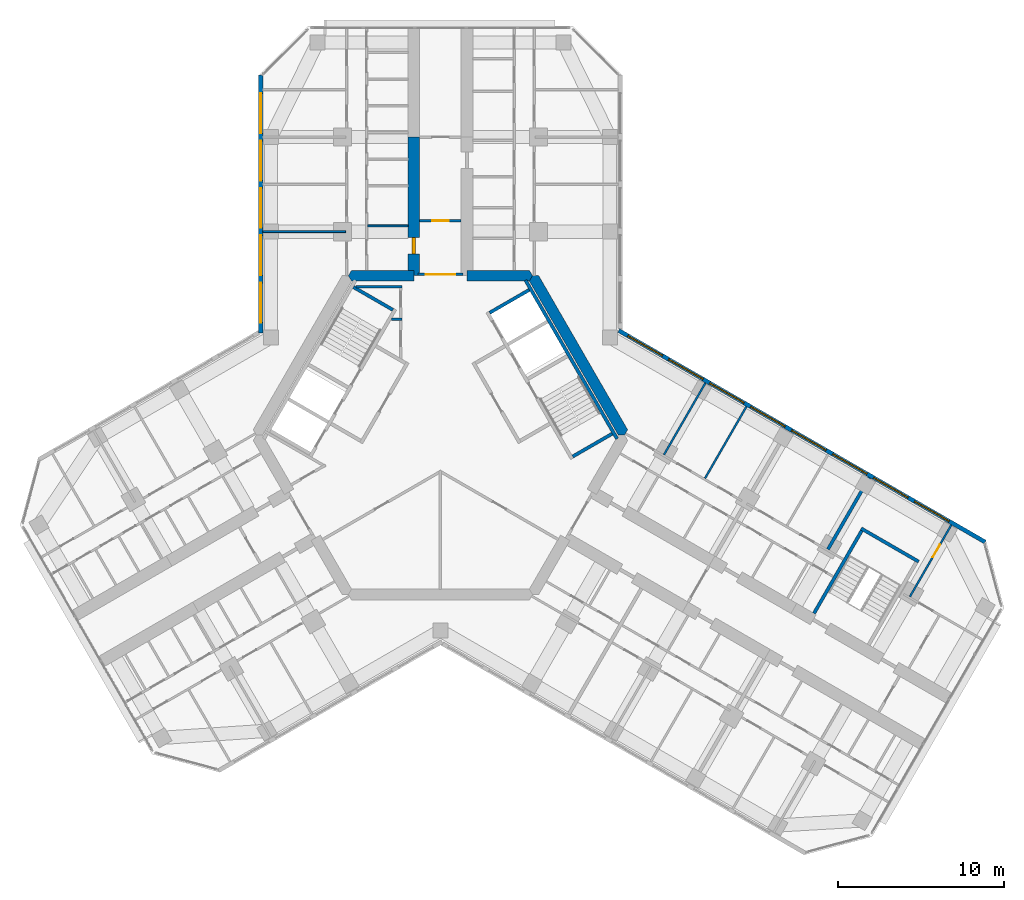
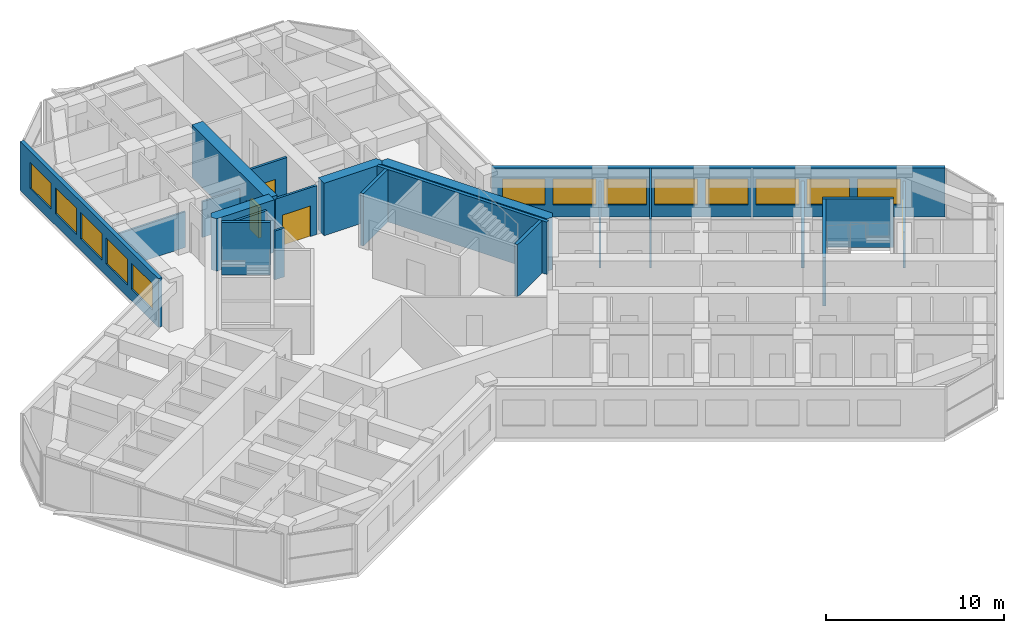
# One storey, part 13 of 16: 22 walls, 13 windows, 4 doors, 17 openings.
"""IFC4 building model written with IfcOpenShell, lengths in metres."""

from ifc_helpers import new_model, si_unit, direction, frame, frame_2d, origin, place, context, subcontext, project, spatial, polyline, rectangle, outline, extrude, material, layer, layer_set, type_object, element, fill, save


model = new_model("IFC4")

# Units and contexts
model_context = context("Model", 3, precision=1e-05, world=origin(), true_north=direction((0.0, 1.0)))
body_context = subcontext(model_context, "Body", "Model", "MODEL_VIEW")
ifc_project = project(units=[si_unit("LENGTHUNIT", "METRE"), si_unit("AREAUNIT", "SQUARE_METRE"), si_unit("VOLUMEUNIT", "CUBIC_METRE"), si_unit("PLANEANGLEUNIT", "RADIAN"), si_unit("MASSUNIT", "GRAM", prefix="KILO")], contexts=[model_context])

# Site, building, storey
site_placement = place(None, origin())
site = spatial("IfcSite", under=ifc_project, at=site_placement, CompositionType="ELEMENT")
building_placement = place(site_placement, origin())
building = spatial("IfcBuilding", under=site, at=building_placement, Name="Kosmar Iwan School Tower", CompositionType="ELEMENT")
storey_placement = place(building_placement, frame((0.0, 0.0, 215.39990234375)))
storey = spatial("IfcBuildingStorey", under=building, at=storey_placement, Name="L54", CompositionType="ELEMENT", Elevation=215.39990234375)

# Walls
ifc_material_1 = material(Name="Gypsum board on steel studs, fire-rated", Category="steel")
ifc_layer_1 = layer(ifc_material_1, 0.14990234375)
ifc_layer_set_1 = layer_set([ifc_layer_1], Name="Core room partition 150")
wall_type_1 = type_object("IfcWallType", Name="Core room partition 150", PredefinedType="PARTITIONING", material=ifc_layer_set_1)
wall_1_placement = place(storey_placement, frame((-2.324951171875, 6.985107421875, 0.0), z_axis=(0.0, 0.0, 1.0), x_axis=(-1.0, 0.0, 0.0)))
element("IfcWall", 1, at=wall_1_placement, inside=storey, type_object=wall_type_1, Name="Core room partition L54-CW2", PredefinedType="PARTITIONING", context=body_context, shape_type="SweptSolid", body=[
    extrude(rectangle(XDim=0.623779296875, YDim=0.14990234375, at=frame_2d((0.31201171875, 0.0))), origin(), (0.0, 0.0, 1.0), 3.35009765625),
])
wall_2_placement = place(storey_placement, frame((-5.089599609375, 8.93994140625, 0.0), z_axis=(0.0, 0.0, 1.0), x_axis=(1.0, 0.0, 0.0)))
element("IfcWall", 2, at=wall_2_placement, inside=storey, type_object=wall_type_1, Name="Core room partition L54-CW3", PredefinedType="PARTITIONING", context=body_context, shape_type="SweptSolid", body=[
    extrude(rectangle(XDim=2.7646484375, YDim=0.14990234375, at=frame_2d((1.38232421875, 0.0))), origin(), (0.0, 0.0, 1.0), 3.35009765625),
])
ifc_material_2 = material(Name="Concrete C50/60", Category="concrete")
ifc_layer_2 = layer(ifc_material_2, 0.64990234375)
ifc_layer_set_2 = layer_set([ifc_layer_2], Name="Core wall 650")
wall_type_2 = type_object("IfcWallType", Name="Core wall 650", PredefinedType="SHEAR", material=ifc_layer_set_2)
wall_3_placement = place(storey_placement, origin())
element("IfcWall", 3, at=wall_3_placement, inside=storey, type_object=wall_type_2, Name="Core wall F030", PredefinedType="SHEAR", context=body_context, shape_type="SweptSolid", body=[
    extrude(outline(polyline([(10.7099609375, 0.0), (11.085205078125, 0.0), (11.272705078125, 0.324951171875), (5.917724609375, 9.60009765625), (5.54248046875, 9.60009765625), (5.35498046875, 9.27490234375), (10.7099609375, 0.0)])), origin(), (0.0, 0.0, 1.0), 3.60009765625),
])
wall_4_placement = place(storey_placement, origin())
element("IfcWall", 4, at=wall_4_placement, inside=storey, type_object=wall_type_2, Name="Core wall F090a", PredefinedType="SHEAR", context=body_context, shape_type="SweptSolid", body=[
    extrude(outline(polyline([(1.60009765625, 9.27490234375), (5.35498046875, 9.27490234375), (5.54248046875, 9.60009765625), (5.35498046875, 9.925048828125), (1.60009765625, 9.925048828125), (1.60009765625, 9.27490234375)])), origin(), (0.0, 0.0, 1.0), 3.60009765625),
])
wall_5_placement = place(storey_placement, origin())
element("IfcWall", 5, at=wall_5_placement, inside=storey, type_object=wall_type_2, Name="Core wall F090b", PredefinedType="SHEAR", context=body_context, shape_type="SweptSolid", body=[
    extrude(outline(polyline([(-5.35498046875, 9.27490234375), (-1.60009765625, 9.27490234375), (-1.60009765625, 9.925048828125), (-5.35498046875, 9.925048828125), (-5.54248046875, 9.60009765625), (-5.35498046875, 9.27490234375)])), origin(), (0.0, 0.0, 1.0), 3.60009765625),
])

# Wall, opening, door
ifc_material_3 = material(Name="Concrete C50/60", Category="concrete")
ifc_layer_3 = layer(ifc_material_3, 0.699951171875)
ifc_layer_set_3 = layer_set([ifc_layer_3], Name="Corridor buttress wall 700")
wall_type_3 = type_object("IfcWallType", Name="Corridor buttress wall 700", PredefinedType="SHEAR", material=ifc_layer_set_3)
wall_6_placement = place(storey_placement, frame((-1.60009765625, 9.60009765625, 0.0), z_axis=(0.0, 0.0, 1.0), x_axis=(0.0, 1.0, 0.0)))
wall_6 = element("IfcWall", 6, at=wall_6_placement, inside=storey, type_object=wall_type_3, Name="Corridor wall AL", PredefinedType="SHEAR", context=body_context, shape_type="SweptSolid", body=[
    extrude(rectangle(XDim=8.349853515625, YDim=0.699951171875, at=frame_2d((4.1748046875, 0.0))), origin(), (0.0, 0.0, 1.0), 3.60009765625),
])
opening_1_placement = place(wall_6_placement, frame((1.300048828125, 0.0, 0.0)))
opening_1 = element("IfcOpeningElement", 7, at=opening_1_placement, cuts=wall_6, Name="Opening D1", PredefinedType="OPENING", context=body_context, shape_type="SweptSolid", body=[
    extrude(rectangle(XDim=1.0, YDim=2.10009765625, at=frame_2d((0.5, 1.050048828125))), frame((0.0, 0.362060546875, 0.0), z_axis=(0.0, -1.0, 0.0), x_axis=(1.0, 0.0, 0.0)), (0.0, 0.0, 1.0), 0.723876953125),
])
ifc_material_4 = material(Name="Timber fire door in steel frame", Category="steel")
door_type_1 = type_object("IfcDoorType", Name="Flat entrance door 1000x2100", OperationType="SINGLE_SWING_LEFT", PredefinedType="DOOR", material=ifc_material_4)
door_1_placement = place(opening_1_placement, origin())
door_1 = element("IfcDoor", 8, at=door_1_placement, inside=storey, type_object=door_type_1, Name="Flat L54-AL1 entrance door", OperationType="SINGLE_SWING_RIGHT", OverallHeight=2.10009765625, OverallWidth=1.0, PredefinedType="DOOR", context=body_context, shape_type="SweptSolid", body=[
    extrude(rectangle(XDim=1.0, YDim=2.10009765625, at=frame_2d((0.5, 1.050048828125))), frame((0.0, 0.10009765625, 0.0), z_axis=(0.0, -1.0, 0.0), x_axis=(1.0, 0.0, 0.0)), (0.0, 0.0, 1.0), 0.199951171875),
])
fill(opening_1, door_1)

ifc_material_5 = material(Name="Gypsum board on steel studs, fire-rated", Category="steel")
ifc_layer_4 = layer(ifc_material_5, 0.14990234375)
ifc_layer_set_4 = layer_set([ifc_layer_4], Name="Corridor end wall 150")
wall_type_4 = type_object("IfcWallType", Name="Corridor end wall 150", PredefinedType="PARTITIONING", material=ifc_layer_set_4)
wall_7_placement = place(storey_placement, frame((1.25, 12.89990234375, 0.0), z_axis=(0.0, 0.0, 1.0), x_axis=(-1.0, 0.0, 0.0)))
wall_7 = element("IfcWall", 9, at=wall_7_placement, inside=storey, type_object=wall_type_4, Name="Partition L54-A-HW", PredefinedType="PARTITIONING", context=body_context, shape_type="SweptSolid", body=[
    extrude(rectangle(XDim=2.5, YDim=0.14990234375, at=frame_2d((1.25, 0.0))), origin(), (0.0, 0.0, 1.0), 3.35009765625),
])
opening_2_placement = place(wall_7_placement, frame((0.75, 0.0, 0.0)))
opening_2 = element("IfcOpeningElement", 10, at=opening_2_placement, cuts=wall_7, Name="Opening D13", PredefinedType="OPENING", context=body_context, shape_type="SweptSolid", body=[
    extrude(rectangle(XDim=1.0, YDim=2.10009765625, at=frame_2d((0.5, 1.050048828125))), frame((0.0, 0.0869140625, 0.0), z_axis=(0.0, -1.0, 0.0), x_axis=(1.0, 0.0, 0.0)), (0.0, 0.0, 1.0), 0.173828125),
])
ifc_material_6 = material(Name="Timber fire door with vision panel", Category="wood")
door_type_2 = type_object("IfcDoorType", Name="Corridor end door 1000x2100", OperationType="SINGLE_SWING_LEFT", PredefinedType="DOOR", material=ifc_material_6)
door_2_placement = place(opening_2_placement, origin())
door_2 = element("IfcDoor", 11, at=door_2_placement, inside=storey, type_object=door_type_2, Name="Entrance door L54-A", OperationType="SINGLE_SWING_RIGHT", OverallHeight=2.10009765625, OverallWidth=1.0, PredefinedType="DOOR", context=body_context, shape_type="SweptSolid", body=[
    extrude(rectangle(XDim=1.0, YDim=2.10009765625, at=frame_2d((0.5, 1.050048828125))), frame((0.0, 0.02490234375, 0.0), z_axis=(0.0, -1.0, 0.0), x_axis=(1.0, 0.0, 0.0)), (0.0, 0.0, 1.0), 0.050048828125),
])
fill(opening_2, door_2)

ifc_material_7 = material(Name="Steel framed glazed screen", Category="steel")
ifc_layer_5 = layer(ifc_material_7, 0.14990234375)
ifc_layer_set_5 = layer_set([ifc_layer_5], Name="Corridor screen wall 150")
wall_type_5 = type_object("IfcWallType", Name="Corridor screen wall 150", PredefinedType="PARTITIONING", material=ifc_layer_set_5)
wall_8_placement = place(storey_placement, frame((1.35009765625, 9.675048828125, 0.0), z_axis=(0.0, 0.0, 1.0), x_axis=(-1.0, 0.0, 0.0)))
wall_8 = element("IfcWall", 12, at=wall_8_placement, inside=storey, type_object=wall_type_5, Name="Corridor screen A L54", PredefinedType="PARTITIONING", context=body_context, shape_type="SweptSolid", body=[
    extrude(rectangle(XDim=2.7001953125, YDim=0.14990234375, at=frame_2d((1.35009765625, 0.0))), origin(), (0.0, 0.0, 1.0), 3.35009765625),
])
opening_3_placement = place(wall_8_placement, frame((0.449951171875, 0.0, 0.0)))
opening_3 = element("IfcOpeningElement", 13, at=opening_3_placement, cuts=wall_8, Name="Opening D9", PredefinedType="OPENING", context=body_context, shape_type="SweptSolid", body=[
    extrude(rectangle(XDim=1.800048828125, YDim=2.10009765625, at=frame_2d((0.89990234375, 1.050048828125))), frame((0.0, 0.0869140625, 0.0), z_axis=(0.0, -1.0, 0.0), x_axis=(1.0, 0.0, 0.0)), (0.0, 0.0, 1.0), 0.173828125),
])
ifc_material_8 = material(Name="Steel framed glazed smoke door", Category="steel")
door_type_3 = type_object("IfcDoorType", Name="Corridor smoke door pair 1800x2100", OperationType="DOUBLE_DOOR_DOUBLE_SWING", PredefinedType="DOOR", material=ifc_material_8)
door_3_placement = place(opening_3_placement, origin())
door_3 = element("IfcDoor", 14, at=door_3_placement, inside=storey, type_object=door_type_3, Name="Corridor doors A L54", OperationType="DOUBLE_DOOR_DOUBLE_SWING", OverallHeight=2.10009765625, OverallWidth=1.800048828125, PredefinedType="DOOR", context=body_context, shape_type="SweptSolid", body=[
    extrude(rectangle(XDim=1.800048828125, YDim=2.10009765625, at=frame_2d((0.89990234375, 1.050048828125))), frame((0.0, 0.02490234375, 0.0), z_axis=(0.0, -1.0, 0.0), x_axis=(1.0, 0.0, 0.0)), (0.0, 0.0, 1.0), 0.050048828125),
])
fill(opening_3, door_3)

# Walls
ifc_material_9 = material(Name="Gypsum board on steel studs", Category="steel")
ifc_layer_6 = layer(ifc_material_9, 0.1201171875)
ifc_layer_set_6 = layer_set([ifc_layer_6], Name="Dwelling partition 120")
wall_type_6 = type_object("IfcWallType", Name="Dwelling partition 120", PredefinedType="PARTITIONING", material=ifc_layer_set_6)
wall_9_placement = place(storey_placement, frame((-5.7099609375, 12.25, 0.0), z_axis=(0.0, 0.0, 1.0), x_axis=(-1.0, 0.0, 0.0)))
element("IfcWall", 15, at=wall_9_placement, inside=storey, type_object=wall_type_6, Name="Partition L54-AL1-X1", PredefinedType="PARTITIONING", context=body_context, shape_type="SweptSolid", body=[
    extrude(rectangle(XDim=4.989990234375, YDim=0.1201171875, at=frame_2d((2.4951171875, 0.0))), origin(), (0.0, 0.0, 1.0), 2.4501953125),
])
wall_10_placement = place(storey_placement, frame((-1.949951171875, 12.60009765625, 0.0), z_axis=(0.0, 0.0, 1.0), x_axis=(-1.0, 0.0, 0.0)))
element("IfcWall", 16, at=wall_10_placement, inside=storey, type_object=wall_type_6, Name="Partition L54-AL1-Y1", PredefinedType="PARTITIONING", context=body_context, shape_type="SweptSolid", body=[
    extrude(rectangle(XDim=2.43994140625, YDim=0.1201171875, at=frame_2d((1.219970703125, 0.0))), origin(), (0.0, 0.0, 1.0), 2.4501953125),
])
wall_11_placement = place(storey_placement, frame((13.4638671875, -1.179931640625, 0.0), z_axis=(0.0, 0.0, 1.0), x_axis=(0.499975153383, 0.86603974851, 0.0)))
element("IfcWall", 17, at=wall_11_placement, inside=storey, type_object=wall_type_6, Name="Partition L54-CL1-X1", PredefinedType="PARTITIONING", context=body_context, shape_type="SweptSolid", body=[
    extrude(rectangle(XDim=4.989990234375, YDim=0.1201171875, at=frame_2d((2.4951171875, 0.0))), origin(), (0.0, 0.0, 1.0), 2.4501953125),
])
wall_12_placement = place(storey_placement, frame((15.931884765625, -2.60498046875, 0.0), z_axis=(0.0, 0.0, 1.0), x_axis=(0.500011847778, 0.866018563358, 0.0)))
element("IfcWall", 18, at=wall_12_placement, inside=storey, type_object=wall_type_6, Name="Partition L54-CL1-X2", PredefinedType="PARTITIONING", context=body_context, shape_type="SweptSolid", body=[
    extrude(rectangle(XDim=4.990234375, YDim=0.1201171875, at=frame_2d((2.4951171875, 0.0))), origin(), (0.0, 0.0, 1.0), 3.35009765625),
])

# Wall, opening, door
wall_13_placement = place(storey_placement, frame((28.27294921875, -9.72998046875, 0.0), z_axis=(0.0, 0.0, 1.0), x_axis=(0.499975153383, 0.86603974851, 0.0)))
wall_13 = element("IfcWall", 19, at=wall_13_placement, inside=storey, type_object=wall_type_6, Name="Partition L54-CL3-TX", PredefinedType="PARTITIONING", context=body_context, shape_type="SweptSolid", body=[
    extrude(rectangle(XDim=4.989990234375, YDim=0.1201171875, at=frame_2d((2.4951171875, 0.0))), origin(), (0.0, 0.0, 1.0), 2.4501953125),
])
opening_4_placement = place(wall_13_placement, frame((2.739990234375, 0.0, 0.0)))
opening_4 = element("IfcOpeningElement", 20, at=opening_4_placement, cuts=wall_13, Name="Opening D2", PredefinedType="OPENING", context=body_context, shape_type="SweptSolid", body=[
    extrude(rectangle(XDim=0.89990234375, YDim=2.10009765625, at=frame_2d((0.449951171875, 1.050048828125))), frame((0.0, 0.072021484375, 0.0), z_axis=(0.0, -1.0, 0.0), x_axis=(1.0, 0.0, 0.0)), (0.0, 0.0, 1.0), 0.14404296875),
])
ifc_material_10 = material(Name="Timber door in timber frame", Category="wood")
door_type_4 = type_object("IfcDoorType", Name="Internal door 900x2100", OperationType="SINGLE_SWING_LEFT", PredefinedType="DOOR", material=ifc_material_10)
door_4_placement = place(opening_4_placement, origin())
door_4 = element("IfcDoor", 21, at=door_4_placement, inside=storey, type_object=door_type_4, Name="Bedroom 1 door L54-CL3-T1", OperationType="SINGLE_SWING_RIGHT", OverallHeight=2.10009765625, OverallWidth=0.89990234375, PredefinedType="DOOR", context=body_context, shape_type="SweptSolid", body=[
    extrude(rectangle(XDim=0.89990234375, YDim=2.10009765625, at=frame_2d((0.449951171875, 1.050048828125))), frame((0.0, 0.02490234375, 0.0), z_axis=(0.0, -1.0, 0.0), x_axis=(1.0, 0.0, 0.0)), (0.0, 0.0, 1.0), 0.050048828125),
])
fill(opening_4, door_4)

# Walls
ifc_material_11 = material(Name="Concrete C35/45", Category="concrete")
ifc_layer_7 = layer(ifc_material_11, 0.199951171875)
ifc_layer_set_7 = layer_set([ifc_layer_7], Name="Escape stair wall 200")
wall_type_7 = type_object("IfcWallType", Name="Escape stair wall 200", PredefinedType="SHEAR", material=ifc_layer_set_7)
wall_14_placement = place(storey_placement, frame((22.49560546875, -10.736328125, 0.0), z_axis=(0.0, 0.0, 1.0), x_axis=(0.500013701029, 0.866017493347, 0.0)))
element("IfcWall", 22, at=wall_14_placement, inside=storey, type_object=wall_type_7, Name="Stair WS3 wall", PredefinedType="SHEAR", context=body_context, shape_type="SweptSolid", body=[
    extrude(rectangle(XDim=5.949951171875, YDim=0.199951171875, at=frame_2d((2.97509765625, 0.0))), origin(), (0.0, 0.0, 1.0), 3.330078125),
])
wall_15_placement = place(storey_placement, frame((25.334228515625, -5.6201171875, 0.0), z_axis=(0.0, 0.0, 1.0), x_axis=(0.866026010844, -0.49999894854, 0.0)))
element("IfcWall", 23, at=wall_15_placement, inside=storey, type_object=wall_type_7, Name="Stair WS3 wall", PredefinedType="SHEAR", context=body_context, shape_type="SweptSolid", body=[
    extrude(rectangle(XDim=4.0, YDim=0.199951171875, at=frame_2d((2.0, 0.0))), origin(), (0.0, 0.0, 1.0), 3.330078125),
])

# Wall, openings, windows
ifc_material_12 = material(Name="Black aluminium rainscreen on insulated framing", Category="aluminium")
ifc_layer_8 = layer(ifc_material_12, 0.25)
ifc_layer_set_8 = layer_set([ifc_layer_8], Name="External wall rainscreen 250")
wall_type_8 = type_object("IfcWallType", Name="External wall rainscreen 250", PredefinedType="SOLIDWALL", material=ifc_layer_set_8)
wall_16_placement = place(storey_placement, frame((10.73681640625, 6.30078125, 0.0), z_axis=(0.0, 0.0, 1.0), x_axis=(0.866026390279, -0.499998291337, 0.0)))
wall_16 = element("IfcWall", 24, at=wall_16_placement, inside=storey, type_object=wall_type_8, Name="External wall CL L54", PredefinedType="SOLIDWALL", context=body_context, shape_type="SweptSolid", body=[
    extrude(rectangle(XDim=25.4873046875, YDim=0.25, at=frame_2d((12.74365234375, 0.0))), origin(), (0.0, 0.0, 1.0), 3.35009765625),
])
opening_5_placement = place(wall_16_placement, frame((0.626953125, 0.0, 0.800048828125)))
opening_5 = element("IfcOpeningElement", 25, at=opening_5_placement, cuts=wall_16, Name="Opening W5", PredefinedType="OPENING", context=body_context, shape_type="SweptSolid", body=[
    extrude(rectangle(XDim=2.39990234375, YDim=1.800048828125, at=frame_2d((1.199951171875, 0.89990234375))), frame((0.0, 0.136962890625, 0.0), z_axis=(0.0, -1.0, 0.0), x_axis=(1.0, 0.0, 0.0)), (0.0, 0.0, 1.0), 0.27392578125),
])
opening_6_placement = place(wall_16_placement, frame((3.47705078125, 0.0, 0.800048828125)))
opening_6 = element("IfcOpeningElement", 26, at=opening_6_placement, cuts=wall_16, Name="Opening W5", PredefinedType="OPENING", context=body_context, shape_type="SweptSolid", body=[
    extrude(rectangle(XDim=2.39990234375, YDim=1.800048828125, at=frame_2d((1.199951171875, 0.89990234375))), frame((0.0, 0.136962890625, 0.0), z_axis=(0.0, -1.0, 0.0), x_axis=(1.0, 0.0, 0.0)), (0.0, 0.0, 1.0), 0.27392578125),
])
opening_7_placement = place(wall_16_placement, frame((6.326904296875, 0.0, 0.800048828125)))
opening_7 = element("IfcOpeningElement", 27, at=opening_7_placement, cuts=wall_16, Name="Opening W5", PredefinedType="OPENING", context=body_context, shape_type="SweptSolid", body=[
    extrude(rectangle(XDim=2.39990234375, YDim=1.800048828125, at=frame_2d((1.199951171875, 0.89990234375))), frame((0.0, 0.136962890625, 0.0), z_axis=(0.0, -1.0, 0.0), x_axis=(1.0, 0.0, 0.0)), (0.0, 0.0, 1.0), 0.27392578125),
])
opening_8_placement = place(wall_16_placement, frame((9.177001953125, 0.0, 0.800048828125)))
opening_8 = element("IfcOpeningElement", 28, at=opening_8_placement, cuts=wall_16, Name="Opening W5", PredefinedType="OPENING", context=body_context, shape_type="SweptSolid", body=[
    extrude(rectangle(XDim=2.39990234375, YDim=1.800048828125, at=frame_2d((1.199951171875, 0.89990234375))), frame((0.0, 0.136962890625, 0.0), z_axis=(0.0, -1.0, 0.0), x_axis=(1.0, 0.0, 0.0)), (0.0, 0.0, 1.0), 0.27392578125),
])
opening_9_placement = place(wall_16_placement, frame((12.027099609375, 0.0, 0.800048828125)))
opening_9 = element("IfcOpeningElement", 29, at=opening_9_placement, cuts=wall_16, Name="Opening W5", PredefinedType="OPENING", context=body_context, shape_type="SweptSolid", body=[
    extrude(rectangle(XDim=2.39990234375, YDim=1.800048828125, at=frame_2d((1.199951171875, 0.89990234375))), frame((0.0, 0.136962890625, 0.0), z_axis=(0.0, -1.0, 0.0), x_axis=(1.0, 0.0, 0.0)), (0.0, 0.0, 1.0), 0.27392578125),
])
opening_10_placement = place(wall_16_placement, frame((14.876953125, 0.0, 0.800048828125)))
opening_10 = element("IfcOpeningElement", 30, at=opening_10_placement, cuts=wall_16, Name="Opening W5", PredefinedType="OPENING", context=body_context, shape_type="SweptSolid", body=[
    extrude(rectangle(XDim=2.39990234375, YDim=1.800048828125, at=frame_2d((1.199951171875, 0.89990234375))), frame((0.0, 0.136962890625, 0.0), z_axis=(0.0, -1.0, 0.0), x_axis=(1.0, 0.0, 0.0)), (0.0, 0.0, 1.0), 0.27392578125),
])
opening_11_placement = place(wall_16_placement, frame((17.72705078125, 0.0, 0.800048828125)))
opening_11 = element("IfcOpeningElement", 31, at=opening_11_placement, cuts=wall_16, Name="Opening W5", PredefinedType="OPENING", context=body_context, shape_type="SweptSolid", body=[
    extrude(rectangle(XDim=2.39990234375, YDim=1.800048828125, at=frame_2d((1.199951171875, 0.89990234375))), frame((0.0, 0.136962890625, 0.0), z_axis=(0.0, -1.0, 0.0), x_axis=(1.0, 0.0, 0.0)), (0.0, 0.0, 1.0), 0.27392578125),
])
opening_12_placement = place(wall_16_placement, frame((20.576904296875, 0.0, 0.800048828125)))
opening_12 = element("IfcOpeningElement", 32, at=opening_12_placement, cuts=wall_16, Name="Opening W5", PredefinedType="OPENING", context=body_context, shape_type="SweptSolid", body=[
    extrude(rectangle(XDim=2.39990234375, YDim=1.800048828125, at=frame_2d((1.199951171875, 0.89990234375))), frame((0.0, 0.136962890625, 0.0), z_axis=(0.0, -1.0, 0.0), x_axis=(1.0, 0.0, 0.0)), (0.0, 0.0, 1.0), 0.27392578125),
])
ifc_material_13 = material(Name="Black aluminium frame with dark triple glazing", Category="aluminium")
window_type = type_object("IfcWindowType", Name="Window 2400x1800", PartitioningType="SINGLE_PANEL", PredefinedType="WINDOW", material=ifc_material_13)
window_1_placement = place(opening_5_placement, origin())
window_1 = element("IfcWindow", 33, at=window_1_placement, inside=storey, type_object=window_type, Name="Window CL L54 -1", OverallHeight=1.800048828125, OverallWidth=2.39990234375, PartitioningType="SINGLE_PANEL", PredefinedType="WINDOW", context=body_context, shape_type="SweptSolid", body=[
    extrude(rectangle(XDim=2.39990234375, YDim=1.800048828125, at=frame_2d((1.199951171875, 0.89990234375))), frame((0.0, 0.030029296875, 0.0), z_axis=(0.0, -1.0, 0.0), x_axis=(1.0, 0.0, 0.0)), (0.0, 0.0, 1.0), 0.06005859375),
])
fill(opening_5, window_1)
window_2_placement = place(opening_6_placement, origin())
window_2 = element("IfcWindow", 34, at=window_2_placement, inside=storey, type_object=window_type, Name="Window CL L54 0", OverallHeight=1.800048828125, OverallWidth=2.39990234375, PartitioningType="SINGLE_PANEL", PredefinedType="WINDOW", context=body_context, shape_type="SweptSolid", body=[
    extrude(rectangle(XDim=2.39990234375, YDim=1.800048828125, at=frame_2d((1.199951171875, 0.89990234375))), frame((0.0, 0.030029296875, 0.0), z_axis=(0.0, -1.0, 0.0), x_axis=(1.0, 0.0, 0.0)), (0.0, 0.0, 1.0), 0.06005859375),
])
fill(opening_6, window_2)
window_3_placement = place(opening_7_placement, origin())
window_3 = element("IfcWindow", 35, at=window_3_placement, inside=storey, type_object=window_type, Name="Window CL L54 1", OverallHeight=1.800048828125, OverallWidth=2.39990234375, PartitioningType="SINGLE_PANEL", PredefinedType="WINDOW", context=body_context, shape_type="SweptSolid", body=[
    extrude(rectangle(XDim=2.39990234375, YDim=1.800048828125, at=frame_2d((1.199951171875, 0.89990234375))), frame((0.0, 0.030029296875, 0.0), z_axis=(0.0, -1.0, 0.0), x_axis=(1.0, 0.0, 0.0)), (0.0, 0.0, 1.0), 0.06005859375),
])
fill(opening_7, window_3)
window_4_placement = place(opening_8_placement, origin())
window_4 = element("IfcWindow", 36, at=window_4_placement, inside=storey, type_object=window_type, Name="Window CL L54 2", OverallHeight=1.800048828125, OverallWidth=2.39990234375, PartitioningType="SINGLE_PANEL", PredefinedType="WINDOW", context=body_context, shape_type="SweptSolid", body=[
    extrude(rectangle(XDim=2.39990234375, YDim=1.800048828125, at=frame_2d((1.199951171875, 0.89990234375))), frame((0.0, 0.030029296875, 0.0), z_axis=(0.0, -1.0, 0.0), x_axis=(1.0, 0.0, 0.0)), (0.0, 0.0, 1.0), 0.06005859375),
])
fill(opening_8, window_4)
window_5_placement = place(opening_9_placement, origin())
window_5 = element("IfcWindow", 37, at=window_5_placement, inside=storey, type_object=window_type, Name="Window CL L54 3", OverallHeight=1.800048828125, OverallWidth=2.39990234375, PartitioningType="SINGLE_PANEL", PredefinedType="WINDOW", context=body_context, shape_type="SweptSolid", body=[
    extrude(rectangle(XDim=2.39990234375, YDim=1.800048828125, at=frame_2d((1.199951171875, 0.89990234375))), frame((0.0, 0.030029296875, 0.0), z_axis=(0.0, -1.0, 0.0), x_axis=(1.0, 0.0, 0.0)), (0.0, 0.0, 1.0), 0.06005859375),
])
fill(opening_9, window_5)
window_6_placement = place(opening_10_placement, origin())
window_6 = element("IfcWindow", 38, at=window_6_placement, inside=storey, type_object=window_type, Name="Window CL L54 4", OverallHeight=1.800048828125, OverallWidth=2.39990234375, PartitioningType="SINGLE_PANEL", PredefinedType="WINDOW", context=body_context, shape_type="SweptSolid", body=[
    extrude(rectangle(XDim=2.39990234375, YDim=1.800048828125, at=frame_2d((1.199951171875, 0.89990234375))), frame((0.0, 0.030029296875, 0.0), z_axis=(0.0, -1.0, 0.0), x_axis=(1.0, 0.0, 0.0)), (0.0, 0.0, 1.0), 0.06005859375),
])
fill(opening_10, window_6)
window_7_placement = place(opening_11_placement, origin())
window_7 = element("IfcWindow", 39, at=window_7_placement, inside=storey, type_object=window_type, Name="Window CL L54 5", OverallHeight=1.800048828125, OverallWidth=2.39990234375, PartitioningType="SINGLE_PANEL", PredefinedType="WINDOW", context=body_context, shape_type="SweptSolid", body=[
    extrude(rectangle(XDim=2.39990234375, YDim=1.800048828125, at=frame_2d((1.199951171875, 0.89990234375))), frame((0.0, 0.030029296875, 0.0), z_axis=(0.0, -1.0, 0.0), x_axis=(1.0, 0.0, 0.0)), (0.0, 0.0, 1.0), 0.06005859375),
])
fill(opening_11, window_7)
window_8_placement = place(opening_12_placement, origin())
window_8 = element("IfcWindow", 40, at=window_8_placement, inside=storey, type_object=window_type, Name="Window CL L54 6", OverallHeight=1.800048828125, OverallWidth=2.39990234375, PartitioningType="SINGLE_PANEL", PredefinedType="WINDOW", context=body_context, shape_type="SweptSolid", body=[
    extrude(rectangle(XDim=2.39990234375, YDim=1.800048828125, at=frame_2d((1.199951171875, 0.89990234375))), frame((0.0, 0.030029296875, 0.0), z_axis=(0.0, -1.0, 0.0), x_axis=(1.0, 0.0, 0.0)), (0.0, 0.0, 1.0), 0.06005859375),
])
fill(opening_12, window_8)

wall_17_placement = place(storey_placement, frame((-10.824951171875, 6.14794921875, 0.0), z_axis=(0.0, 0.0, 1.0), x_axis=(0.0, 1.0, 0.0)))
wall_17 = element("IfcWall", 41, at=wall_17_placement, inside=storey, type_object=wall_type_8, Name="External wall AL L54", PredefinedType="SOLIDWALL", context=body_context, shape_type="SweptSolid", body=[
    extrude(rectangle(XDim=15.537353515625, YDim=0.25, at=frame_2d((7.7685546875, 0.0))), origin(), (0.0, 0.0, 1.0), 3.35009765625),
])
opening_13_placement = place(wall_17_placement, frame((0.626953125, 0.0, 0.800048828125)))
opening_13 = element("IfcOpeningElement", 42, at=opening_13_placement, cuts=wall_17, Name="Opening W5", PredefinedType="OPENING", context=body_context, shape_type="SweptSolid", body=[
    extrude(rectangle(XDim=2.39990234375, YDim=1.800048828125, at=frame_2d((1.199951171875, 0.89990234375))), frame((0.0, 0.136962890625, 0.0), z_axis=(0.0, -1.0, 0.0), x_axis=(1.0, 0.0, 0.0)), (0.0, 0.0, 1.0), 0.27392578125),
])
opening_14_placement = place(wall_17_placement, frame((3.47705078125, 0.0, 0.800048828125)))
opening_14 = element("IfcOpeningElement", 43, at=opening_14_placement, cuts=wall_17, Name="Opening W5", PredefinedType="OPENING", context=body_context, shape_type="SweptSolid", body=[
    extrude(rectangle(XDim=2.39990234375, YDim=1.800048828125, at=frame_2d((1.199951171875, 0.89990234375))), frame((0.0, 0.136962890625, 0.0), z_axis=(0.0, -1.0, 0.0), x_axis=(1.0, 0.0, 0.0)), (0.0, 0.0, 1.0), 0.27392578125),
])
opening_15_placement = place(wall_17_placement, frame((6.326904296875, 0.0, 0.800048828125)))
opening_15 = element("IfcOpeningElement", 44, at=opening_15_placement, cuts=wall_17, Name="Opening W5", PredefinedType="OPENING", context=body_context, shape_type="SweptSolid", body=[
    extrude(rectangle(XDim=2.39990234375, YDim=1.800048828125, at=frame_2d((1.199951171875, 0.89990234375))), frame((0.0, 0.136962890625, 0.0), z_axis=(0.0, -1.0, 0.0), x_axis=(1.0, 0.0, 0.0)), (0.0, 0.0, 1.0), 0.27392578125),
])
opening_16_placement = place(wall_17_placement, frame((9.177001953125, 0.0, 0.800048828125)))
opening_16 = element("IfcOpeningElement", 45, at=opening_16_placement, cuts=wall_17, Name="Opening W5", PredefinedType="OPENING", context=body_context, shape_type="SweptSolid", body=[
    extrude(rectangle(XDim=2.39990234375, YDim=1.800048828125, at=frame_2d((1.199951171875, 0.89990234375))), frame((0.0, 0.136962890625, 0.0), z_axis=(0.0, -1.0, 0.0), x_axis=(1.0, 0.0, 0.0)), (0.0, 0.0, 1.0), 0.27392578125),
])
opening_17_placement = place(wall_17_placement, frame((12.027099609375, 0.0, 0.800048828125)))
opening_17 = element("IfcOpeningElement", 46, at=opening_17_placement, cuts=wall_17, Name="Opening W5", PredefinedType="OPENING", context=body_context, shape_type="SweptSolid", body=[
    extrude(rectangle(XDim=2.39990234375, YDim=1.800048828125, at=frame_2d((1.199951171875, 0.89990234375))), frame((0.0, 0.136962890625, 0.0), z_axis=(0.0, -1.0, 0.0), x_axis=(1.0, 0.0, 0.0)), (0.0, 0.0, 1.0), 0.27392578125),
])
window_9_placement = place(opening_13_placement, origin())
window_9 = element("IfcWindow", 47, at=window_9_placement, inside=storey, type_object=window_type, Name="Window AL L54 -1", OverallHeight=1.800048828125, OverallWidth=2.39990234375, PartitioningType="SINGLE_PANEL", PredefinedType="WINDOW", context=body_context, shape_type="SweptSolid", body=[
    extrude(rectangle(XDim=2.39990234375, YDim=1.800048828125, at=frame_2d((1.199951171875, 0.89990234375))), frame((0.0, 0.030029296875, 0.0), z_axis=(0.0, -1.0, 0.0), x_axis=(1.0, 0.0, 0.0)), (0.0, 0.0, 1.0), 0.06005859375),
])
fill(opening_13, window_9)
window_10_placement = place(opening_14_placement, origin())
window_10 = element("IfcWindow", 48, at=window_10_placement, inside=storey, type_object=window_type, Name="Window AL L54 0", OverallHeight=1.800048828125, OverallWidth=2.39990234375, PartitioningType="SINGLE_PANEL", PredefinedType="WINDOW", context=body_context, shape_type="SweptSolid", body=[
    extrude(rectangle(XDim=2.39990234375, YDim=1.800048828125, at=frame_2d((1.199951171875, 0.89990234375))), frame((0.0, 0.030029296875, 0.0), z_axis=(0.0, -1.0, 0.0), x_axis=(1.0, 0.0, 0.0)), (0.0, 0.0, 1.0), 0.06005859375),
])
fill(opening_14, window_10)
window_11_placement = place(opening_15_placement, origin())
window_11 = element("IfcWindow", 49, at=window_11_placement, inside=storey, type_object=window_type, Name="Window AL L54 1", OverallHeight=1.800048828125, OverallWidth=2.39990234375, PartitioningType="SINGLE_PANEL", PredefinedType="WINDOW", context=body_context, shape_type="SweptSolid", body=[
    extrude(rectangle(XDim=2.39990234375, YDim=1.800048828125, at=frame_2d((1.199951171875, 0.89990234375))), frame((0.0, 0.030029296875, 0.0), z_axis=(0.0, -1.0, 0.0), x_axis=(1.0, 0.0, 0.0)), (0.0, 0.0, 1.0), 0.06005859375),
])
fill(opening_15, window_11)
window_12_placement = place(opening_16_placement, origin())
window_12 = element("IfcWindow", 50, at=window_12_placement, inside=storey, type_object=window_type, Name="Window AL L54 2", OverallHeight=1.800048828125, OverallWidth=2.39990234375, PartitioningType="SINGLE_PANEL", PredefinedType="WINDOW", context=body_context, shape_type="SweptSolid", body=[
    extrude(rectangle(XDim=2.39990234375, YDim=1.800048828125, at=frame_2d((1.199951171875, 0.89990234375))), frame((0.0, 0.030029296875, 0.0), z_axis=(0.0, -1.0, 0.0), x_axis=(1.0, 0.0, 0.0)), (0.0, 0.0, 1.0), 0.06005859375),
])
fill(opening_16, window_12)
window_13_placement = place(opening_17_placement, origin())
window_13 = element("IfcWindow", 51, at=window_13_placement, inside=storey, type_object=window_type, Name="Window AL L54 3", OverallHeight=1.800048828125, OverallWidth=2.39990234375, PartitioningType="SINGLE_PANEL", PredefinedType="WINDOW", context=body_context, shape_type="SweptSolid", body=[
    extrude(rectangle(XDim=2.39990234375, YDim=1.800048828125, at=frame_2d((1.199951171875, 0.89990234375))), frame((0.0, 0.030029296875, 0.0), z_axis=(0.0, -1.0, 0.0), x_axis=(1.0, 0.0, 0.0)), (0.0, 0.0, 1.0), 0.06005859375),
])
fill(opening_17, window_13)

# Walls
ifc_material_14 = material(Name="Concrete C50/60", Category="concrete")
ifc_layer_9 = layer(ifc_material_14, 0.199951171875)
ifc_layer_set_9 = layer_set([ifc_layer_9], Name="Lift shaft wall 200")
wall_type_9 = type_object("IfcWallType", Name="Lift shaft wall 200", PredefinedType="SHEAR", material=ifc_layer_set_9)
wall_18_placement = place(storey_placement, frame((10.6376953125, -0.22509765625, 0.0), z_axis=(0.0, 0.0, 1.0), x_axis=(-0.49999650507, 0.866027421574, 0.0)))
element("IfcWall", 52, at=wall_18_placement, inside=storey, type_object=wall_type_9, Name="Lift and stair back wall AC", PredefinedType="SHEAR", context=body_context, shape_type="SweptSolid", body=[
    extrude(rectangle(XDim=11.02734375, YDim=0.199951171875, at=frame_2d((5.513671875, 0.0))), origin(), (0.0, 0.0, 1.0), 3.60009765625),
])
wall_19_placement = place(storey_placement, frame((2.962646484375, 7.368408203125, 0.0), z_axis=(0.0, 0.0, 1.0), x_axis=(0.866027397988, 0.499996545922, 0.0)))
element("IfcWall", 53, at=wall_19_placement, inside=storey, type_object=wall_type_9, Name="Lift shaft wall AC 2", PredefinedType="SHEAR", context=body_context, shape_type="SweptSolid", body=[
    extrude(rectangle(XDim=2.75, YDim=0.199951171875, at=frame_2d((1.375, 0.0))), origin(), (0.0, 0.0, 1.0), 3.60009765625),
])
ifc_material_15 = material(Name="Concrete block masonry", Category="masonry")
ifc_layer_10 = layer(ifc_material_15, 0.199951171875)
ifc_layer_set_10 = layer_set([ifc_layer_10], Name="Party wall 200")
wall_type_10 = type_object("IfcWallType", Name="Party wall 200", PredefinedType="PARTITIONING", material=ifc_layer_set_10)
wall_20_placement = place(storey_placement, frame((23.33642578125, -6.8798828125, 0.0), z_axis=(0.0, 0.0, 1.0), x_axis=(0.500033033937, 0.866006330792, 0.0)))
element("IfcWall", 54, at=wall_20_placement, inside=storey, type_object=wall_type_10, Name="Partition L54-CL3-TB", PredefinedType="PARTITIONING", context=body_context, shape_type="SweptSolid", body=[
    extrude(rectangle(XDim=4.989990234375, YDim=0.199951171875, at=frame_2d((2.4951171875, 0.0))), origin(), (0.0, 0.0, 1.0), 2.4501953125),
])
ifc_material_16 = material(Name="Concrete C50/60", Category="concrete")
ifc_layer_11 = layer(ifc_material_16, 0.199951171875)
ifc_layer_set_11 = layer_set([ifc_layer_11], Name="Stair enclosure wall 200")
wall_type_11 = type_object("IfcWallType", Name="Stair enclosure wall 200", PredefinedType="SHEAR", material=ifc_layer_set_11)
for number, where, z_axis, x_axis, name in (
    (55, (-2.862548828125, 7.541748046875, 0.0), (0.0, 0.0, 1.0), (-0.866027397988, 0.499996545922, 0.0), "Stair ST2 wall"),
    (56, (7.962646484375, -1.291748046875, 0.0), (0.0, 0.0, 1.0), (0.866027397988, 0.499996545922, 0.0), "Stair ST1 wall"),
):
    element("IfcWall", number, at=place(storey_placement, frame(where, z_axis=z_axis, x_axis=x_axis)), inside=storey, type_object=wall_type_11, Name=name, PredefinedType="SHEAR", context=body_context, shape_type="SweptSolid", body=[
        extrude(rectangle(XDim=2.75, YDim=0.199951171875, at=frame_2d((1.375, 0.0))), origin(), (0.0, 0.0, 1.0), 3.60009765625),
    ])

save(model, "model.ifc")
